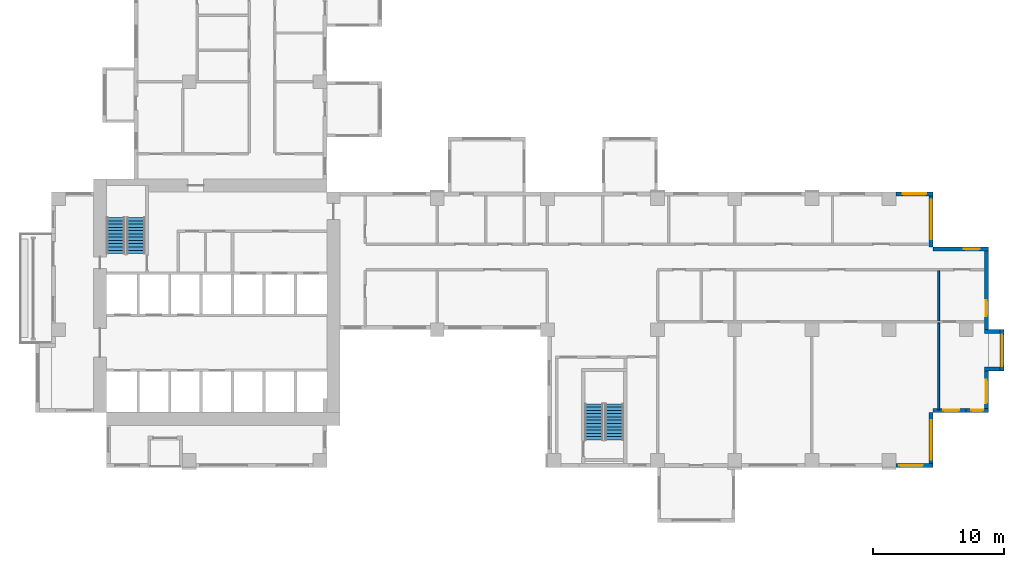
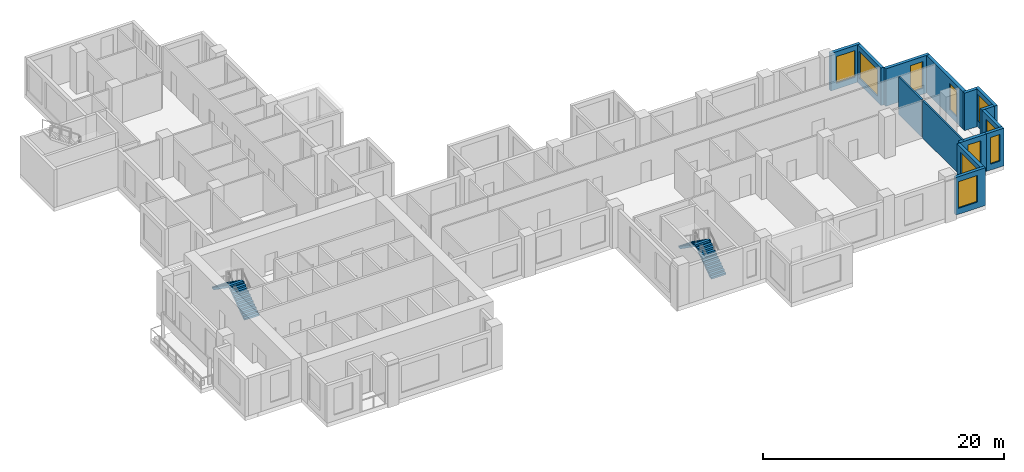
# One storey, part 8 of 14: 14 walls, 10 windows, 4 stair flights, 10 openings, 2 elements without a shape of their own.
"""IFC4 building model written with IfcOpenShell, lengths in metres."""

from ifc_helpers import new_model, si_unit, direction, frame, frame_2d, origin, place, context, subcontext, project, spatial, polyline, rectangle, outline, extrude, source, transform, mapped, material, layer, layer_set, type_object, element, fill, aggregate, save


model = new_model("IFC4")

# Units and contexts
model_context = context("Model", 3, precision=1e-05, world=origin(), true_north=direction((0.0, 1.0)))
body_context = subcontext(model_context, "Body", "Model", "MODEL_VIEW")
ifc_project = project(units=[si_unit("LENGTHUNIT", "METRE"), si_unit("AREAUNIT", "SQUARE_METRE"), si_unit("VOLUMEUNIT", "CUBIC_METRE"), si_unit("PLANEANGLEUNIT", "RADIAN"), si_unit("MASSUNIT", "GRAM", prefix="KILO")], contexts=[model_context])

# Site, building, storey
site_placement = place(None, origin())
site = spatial("IfcSite", under=ifc_project, at=site_placement, CompositionType="ELEMENT")
building_placement = place(site_placement, origin())
building = spatial("IfcBuilding", under=site, at=building_placement, Name="Aurelian Terraces", CompositionType="ELEMENT")
storey_placement = place(building_placement, frame((0.0, 0.0, 149.7)))
storey = spatial("IfcBuildingStorey", under=building, at=storey_placement, Name="L33", CompositionType="ELEMENT", Elevation=149.7)

# Wall, opening, window
ifc_material_1 = material(Name="Terracotta rainscreen cladding", Category="masonry")
ifc_layer_1 = layer(ifc_material_1, 0.3)
ifc_layer_set_1 = layer_set([ifc_layer_1], Name="EW-300")
wall_type_1 = type_object("IfcWallType", Name="EW-300", PredefinedType="STANDARD", material=ifc_layer_set_1)
shared_shape_1 = source(origin(), body_context, "Body", "SweptSolid", [
    extrude(rectangle(XDim=3.15, YDim=0.3, at=frame_2d((1.575, 0.0))), origin(), (0.0, 0.0, 1.0), 3.8),
])
wall_1_placement = place(storey_placement, frame((71.25, 4.2, 0.0), z_axis=(0.0, 0.0, 1.0), x_axis=(0.0, 1.0, 0.0)))
wall_1 = element("IfcWall", 1, at=wall_1_placement, inside=storey, type_object=wall_type_1, Name="External wall L33 F08.17", PredefinedType="STANDARD", context=body_context, shape_type="MappedRepresentation", body=[
    mapped(shared_shape_1, transform((0.0, 0.0, 0.0), scale=1.0)),
])
shared_shape_2 = source(origin(), body_context, "Body", "SweptSolid", [
    extrude(rectangle(XDim=1.8, YDim=2.7, at=frame_2d((0.9, 1.35))), frame((0.0, 0.16, 0.0), z_axis=(0.0, -1.0, 0.0), x_axis=(1.0, 0.0, 0.0)), (0.0, 0.0, 1.0), 0.32),
])
opening_1_placement = place(wall_1_placement, frame((0.675, 0.0, 0.6)))
opening_1 = element("IfcOpeningElement", 2, at=opening_1_placement, cuts=wall_1, Name="Opening W1827", PredefinedType="OPENING", context=body_context, shape_type="MappedRepresentation", body=[
    mapped(shared_shape_2, transform((0.0, 0.0, 0.0), scale=1.0)),
])
ifc_material_2 = material(Name="Clear glazing", Category="glass")
window_type_1 = type_object("IfcWindowType", Name="W-1800x2700", PartitioningType="SINGLE_PANEL", PredefinedType="WINDOW", material=ifc_material_2)
shared_shape_3 = source(origin(), body_context, "Body", "SweptSolid", [
    extrude(rectangle(XDim=1.8, YDim=2.7, at=frame_2d((0.9, 1.35))), frame((0.0, 0.03, 0.0), z_axis=(0.0, -1.0, 0.0), x_axis=(1.0, 0.0, 0.0)), (0.0, 0.0, 1.0), 0.06),
])
window_1_placement = place(opening_1_placement, origin())
window_1 = element("IfcWindow", 3, at=window_1_placement, inside=storey, type_object=window_type_1, Name="Window L33 L33-F08-17-0", OverallHeight=2.7, OverallWidth=1.8, PartitioningType="SINGLE_PANEL", PredefinedType="WINDOW", context=body_context, shape_type="MappedRepresentation", body=[
    mapped(shared_shape_3, transform((0.0, 0.0, 0.0), scale=1.0)),
])
fill(opening_1, window_1)

wall_2_placement = place(storey_placement, frame((72.45, 7.35, 0.0), z_axis=(0.0, 0.0, 1.0), x_axis=(0.0, 1.0, 0.0)))
wall_2 = element("IfcWall", 4, at=wall_2_placement, inside=storey, type_object=wall_type_1, Name="Bay wall L33 F08.18", PredefinedType="STANDARD", context=body_context, shape_type="MappedRepresentation", body=[
    mapped(shared_shape_1, transform((0.0, 0.0, 0.0), scale=1.0)),
])
shared_shape_4 = source(origin(), body_context, "Body", "SweptSolid", [
    extrude(rectangle(XDim=2.4, YDim=2.7, at=frame_2d((1.2, 1.35))), frame((0.0, 0.16, 0.0), z_axis=(0.0, -1.0, 0.0), x_axis=(1.0, 0.0, 0.0)), (0.0, 0.0, 1.0), 0.32),
])
opening_2_placement = place(wall_2_placement, frame((0.375, 0.0, 0.6)))
opening_2 = element("IfcOpeningElement", 5, at=opening_2_placement, cuts=wall_2, Name="Opening W2427", PredefinedType="OPENING", context=body_context, shape_type="MappedRepresentation", body=[
    mapped(shared_shape_4, transform((0.0, 0.0, 0.0), scale=1.0)),
])
window_type_2 = type_object("IfcWindowType", Name="W-2400x2700", PartitioningType="SINGLE_PANEL", PredefinedType="WINDOW", material=ifc_material_2)
shared_shape_5 = source(origin(), body_context, "Body", "SweptSolid", [
    extrude(rectangle(XDim=2.4, YDim=2.7, at=frame_2d((1.2, 1.35))), frame((0.0, 0.03, 0.0), z_axis=(0.0, -1.0, 0.0), x_axis=(1.0, 0.0, 0.0)), (0.0, 0.0, 1.0), 0.06),
])
window_2_placement = place(opening_2_placement, origin())
window_2 = element("IfcWindow", 6, at=window_2_placement, inside=storey, type_object=window_type_2, Name="Window L33 L33-F08-18-0", OverallHeight=2.7, OverallWidth=2.4, PartitioningType="SINGLE_PANEL", PredefinedType="WINDOW", context=body_context, shape_type="MappedRepresentation", body=[
    mapped(shared_shape_5, transform((0.0, 0.0, 0.0), scale=1.0)),
])
fill(opening_2, window_2)

shared_shape_6 = source(origin(), body_context, "Body", "SweptSolid", [
    extrude(rectangle(XDim=4.2, YDim=0.3, at=frame_2d((2.1, 0.0))), origin(), (0.0, 0.0, 1.0), 3.8),
])
wall_3_placement = place(storey_placement, frame((67.05, 0.0, 0.0), z_axis=(0.0, 0.0, 1.0), x_axis=(0.0, 1.0, 0.0)))
wall_3 = element("IfcWall", 7, at=wall_3_placement, inside=storey, type_object=wall_type_1, Name="External wall L33 F06.14", PredefinedType="STANDARD", context=body_context, shape_type="MappedRepresentation", body=[
    mapped(shared_shape_6, transform((0.0, 0.0, 0.0), scale=1.0)),
])
shared_shape_7 = source(origin(), body_context, "Body", "SweptSolid", [
    extrude(rectangle(XDim=3.0, YDim=2.7, at=frame_2d((1.5, 1.35))), frame((0.0, 0.16, 0.0), z_axis=(0.0, -1.0, 0.0), x_axis=(1.0, 0.0, 0.0)), (0.0, 0.0, 1.0), 0.32),
])
opening_3_placement = place(wall_3_placement, frame((0.6, 0.0, 0.6)))
opening_3 = element("IfcOpeningElement", 8, at=opening_3_placement, cuts=wall_3, Name="Opening W3027", PredefinedType="OPENING", context=body_context, shape_type="MappedRepresentation", body=[
    mapped(shared_shape_7, transform((0.0, 0.0, 0.0), scale=1.0)),
])
window_type_3 = type_object("IfcWindowType", Name="W-3000x2700", PartitioningType="SINGLE_PANEL", PredefinedType="WINDOW", material=ifc_material_2)
shared_shape_8 = source(origin(), body_context, "Body", "SweptSolid", [
    extrude(rectangle(XDim=3.0, YDim=2.7, at=frame_2d((1.5, 1.35))), frame((0.0, 0.03, 0.0), z_axis=(0.0, -1.0, 0.0), x_axis=(1.0, 0.0, 0.0)), (0.0, 0.0, 1.0), 0.06),
])
window_3_placement = place(opening_3_placement, origin())
window_3 = element("IfcWindow", 9, at=window_3_placement, inside=storey, type_object=window_type_3, Name="Window L33 L33-F06-14-0", OverallHeight=2.7, OverallWidth=3.0, PartitioningType="SINGLE_PANEL", PredefinedType="WINDOW", context=body_context, shape_type="MappedRepresentation", body=[
    mapped(shared_shape_8, transform((0.0, 0.0, 0.0), scale=1.0)),
])
fill(opening_3, window_3)

wall_4_placement = place(storey_placement, frame((71.4, 16.65, 0.0), z_axis=(0.0, 0.0, 1.0), x_axis=(-1.0, 0.0, 0.0)))
wall_4 = element("IfcWall", 10, at=wall_4_placement, inside=storey, type_object=wall_type_1, Name="External wall L33 F09.20", PredefinedType="STANDARD", context=body_context, shape_type="MappedRepresentation", body=[
    mapped(shared_shape_6, transform((0.0, 0.0, 0.0), scale=1.0)),
])
shared_shape_9 = source(origin(), body_context, "Body", "SweptSolid", [
    extrude(rectangle(XDim=1.2, YDim=2.7, at=frame_2d((0.6, 1.35))), frame((0.0, 0.16, 0.0), z_axis=(0.0, -1.0, 0.0), x_axis=(1.0, 0.0, 0.0)), (0.0, 0.0, 1.0), 0.32),
])
opening_4_placement = place(wall_4_placement, frame((0.66, 0.0, 0.6)))
opening_4 = element("IfcOpeningElement", 11, at=opening_4_placement, cuts=wall_4, Name="Opening W1227", PredefinedType="OPENING", context=body_context, shape_type="MappedRepresentation", body=[
    mapped(shared_shape_9, transform((0.0, 0.0, 0.0), scale=1.0)),
])
window_type_4 = type_object("IfcWindowType", Name="W-1200x2700", PartitioningType="SINGLE_PANEL", PredefinedType="WINDOW", material=ifc_material_2)
shared_shape_10 = source(origin(), body_context, "Body", "SweptSolid", [
    extrude(rectangle(XDim=1.2, YDim=2.7, at=frame_2d((0.6, 1.35))), frame((0.0, 0.03, 0.0), z_axis=(0.0, -1.0, 0.0), x_axis=(1.0, 0.0, 0.0)), (0.0, 0.0, 1.0), 0.06),
])
window_4_placement = place(opening_4_placement, origin())
window_4 = element("IfcWindow", 12, at=window_4_placement, inside=storey, type_object=window_type_4, Name="Window L33 L33-F09-20-0", OverallHeight=2.7, OverallWidth=1.2, PartitioningType="SINGLE_PANEL", PredefinedType="WINDOW", context=body_context, shape_type="MappedRepresentation", body=[
    mapped(shared_shape_10, transform((0.0, 0.0, 0.0), scale=1.0)),
])
fill(opening_4, window_4)

wall_5_placement = place(storey_placement, frame((67.05, 16.8, 0.0), z_axis=(0.0, 0.0, 1.0), x_axis=(0.0, 1.0, 0.0)))
wall_5 = element("IfcWall", 13, at=wall_5_placement, inside=storey, type_object=wall_type_1, Name="External wall L33 F10.21", PredefinedType="STANDARD", context=body_context, shape_type="MappedRepresentation", body=[
    mapped(shared_shape_6, transform((0.0, 0.0, 0.0), scale=1.0)),
])
opening_5_placement = place(wall_5_placement, frame((0.6, 0.0, 0.6)))
opening_5 = element("IfcOpeningElement", 14, at=opening_5_placement, cuts=wall_5, Name="Opening W3027", PredefinedType="OPENING", context=body_context, shape_type="MappedRepresentation", body=[
    mapped(shared_shape_7, transform((0.0, 0.0, 0.0), scale=1.0)),
])
window_5_placement = place(opening_5_placement, origin())
window_5 = element("IfcWindow", 15, at=window_5_placement, inside=storey, type_object=window_type_3, Name="Window L33 L33-F10-21-0", OverallHeight=2.7, OverallWidth=3.0, PartitioningType="SINGLE_PANEL", PredefinedType="WINDOW", context=body_context, shape_type="MappedRepresentation", body=[
    mapped(shared_shape_8, transform((0.0, 0.0, 0.0), scale=1.0)),
])
fill(opening_5, window_5)

# Walls
shared_shape_11 = source(origin(), body_context, "Body", "SweptSolid", [
    extrude(rectangle(XDim=1.2, YDim=0.3, at=frame_2d((0.6, 0.0))), origin(), (0.0, 0.0, 1.0), 3.8),
])
for number, where, z_axis, x_axis, name in (
    (16, (71.1, 7.5, 0.0), (0.0, 0.0, 1.0), (1.0, 0.0, 0.0), "Bay return L33 F08.18.1"),
    (17, (71.1, 10.35, 0.0), (0.0, 0.0, 1.0), (1.0, 0.0, 0.0), "Bay return L33 F08.18.2"),
):
    element("IfcWall", number, at=place(storey_placement, frame(where, z_axis=z_axis, x_axis=x_axis)), inside=storey, type_object=wall_type_1, Name=name, PredefinedType="STANDARD", context=body_context, shape_type="MappedRepresentation", body=[
        mapped(shared_shape_11, transform((0.0, 0.0, 0.0), scale=1.0)),
    ])

# Wall, opening, window
shared_shape_12 = source(origin(), body_context, "Body", "SweptSolid", [
    extrude(rectangle(XDim=2.52, YDim=0.3, at=frame_2d((1.26, 0.0))), origin(), (0.0, 0.0, 1.0), 3.8),
])
wall_6_placement = place(storey_placement, frame((67.2, 4.35, 0.0), z_axis=(0.0, 0.0, 1.0), x_axis=(1.0, 0.0, 0.0)))
wall_6 = element("IfcWall", 18, at=wall_6_placement, inside=storey, type_object=wall_type_1, Name="External wall L33 F07.15", PredefinedType="STANDARD", context=body_context, shape_type="MappedRepresentation", body=[
    mapped(shared_shape_12, transform((0.0, 0.0, 0.0), scale=1.0)),
])
opening_6_placement = place(wall_6_placement, frame((0.7775, 0.0, 0.6)))
opening_6 = element("IfcOpeningElement", 19, at=opening_6_placement, cuts=wall_6, Name="Opening W1227", PredefinedType="OPENING", context=body_context, shape_type="MappedRepresentation", body=[
    mapped(shared_shape_9, transform((0.0, 0.0, 0.0), scale=1.0)),
])
window_6_placement = place(opening_6_placement, origin())
window_6 = element("IfcWindow", 20, at=window_6_placement, inside=storey, type_object=window_type_4, Name="Window L33 L33-F07-15-P0", OverallHeight=2.7, OverallWidth=1.2, PartitioningType="SINGLE_PANEL", PredefinedType="WINDOW", context=body_context, shape_type="MappedRepresentation", body=[
    mapped(shared_shape_10, transform((0.0, 0.0, 0.0), scale=1.0)),
])
fill(opening_6, window_6)

shared_shape_13 = source(origin(), body_context, "Body", "SweptSolid", [
    extrude(rectangle(XDim=1.68, YDim=0.3, at=frame_2d((0.84, 0.0))), origin(), (0.0, 0.0, 1.0), 3.8),
])
wall_7_placement = place(storey_placement, frame((69.72, 4.35, 0.0), z_axis=(0.0, 0.0, 1.0), x_axis=(1.0, 0.0, 0.0)))
wall_7 = element("IfcWall", 21, at=wall_7_placement, inside=storey, type_object=wall_type_1, Name="External wall L33 F07.16", PredefinedType="STANDARD", context=body_context, shape_type="MappedRepresentation", body=[
    mapped(shared_shape_13, transform((0.0, 0.0, 0.0), scale=1.0)),
])
shared_shape_14 = source(origin(), body_context, "Body", "SweptSolid", [
    extrude(rectangle(XDim=0.9, YDim=2.7, at=frame_2d((0.45, 1.35))), frame((0.0, 0.16, 0.0), z_axis=(0.0, -1.0, 0.0), x_axis=(1.0, 0.0, 0.0)), (0.0, 0.0, 1.0), 0.32),
])
opening_7_placement = place(wall_7_placement, frame((0.39, 0.0, 0.6)))
opening_7 = element("IfcOpeningElement", 22, at=opening_7_placement, cuts=wall_7, Name="Opening W0927", PredefinedType="OPENING", context=body_context, shape_type="MappedRepresentation", body=[
    mapped(shared_shape_14, transform((0.0, 0.0, 0.0), scale=1.0)),
])
window_type_5 = type_object("IfcWindowType", Name="W-900x2700", PartitioningType="SINGLE_PANEL", PredefinedType="WINDOW", material=ifc_material_2)
shared_shape_15 = source(origin(), body_context, "Body", "SweptSolid", [
    extrude(rectangle(XDim=0.9, YDim=2.7, at=frame_2d((0.45, 1.35))), frame((0.0, 0.03, 0.0), z_axis=(0.0, -1.0, 0.0), x_axis=(1.0, 0.0, 0.0)), (0.0, 0.0, 1.0), 0.06),
])
window_7_placement = place(opening_7_placement, origin())
window_7 = element("IfcWindow", 23, at=window_7_placement, inside=storey, type_object=window_type_5, Name="Window L33 L33-F07-16-P0", OverallHeight=2.7, OverallWidth=0.9, PartitioningType="SINGLE_PANEL", PredefinedType="WINDOW", context=body_context, shape_type="MappedRepresentation", body=[
    mapped(shared_shape_15, transform((0.0, 0.0, 0.0), scale=1.0)),
])
fill(opening_7, window_7)

shared_shape_16 = source(origin(), body_context, "Body", "SweptSolid", [
    extrude(rectangle(XDim=6.3, YDim=0.3, at=frame_2d((3.15, 0.0))), origin(), (0.0, 0.0, 1.0), 3.8),
])
wall_8_placement = place(storey_placement, frame((71.25, 10.5, 0.0), z_axis=(0.0, 0.0, 1.0), x_axis=(0.0, 1.0, 0.0)))
wall_8 = element("IfcWall", 24, at=wall_8_placement, inside=storey, type_object=wall_type_1, Name="External wall L33 F08.19", PredefinedType="STANDARD", context=body_context, shape_type="MappedRepresentation", body=[
    mapped(shared_shape_16, transform((0.0, 0.0, 0.0), scale=1.0)),
])
opening_8_placement = place(wall_8_placement, frame((1.025, 0.0, 0.6)))
opening_8 = element("IfcOpeningElement", 25, at=opening_8_placement, cuts=wall_8, Name="Opening W1227", PredefinedType="OPENING", context=body_context, shape_type="MappedRepresentation", body=[
    mapped(shared_shape_9, transform((0.0, 0.0, 0.0), scale=1.0)),
])
window_8_placement = place(opening_8_placement, origin())
window_8 = element("IfcWindow", 26, at=window_8_placement, inside=storey, type_object=window_type_4, Name="Window L33 L33-F08-19-0", OverallHeight=2.7, OverallWidth=1.2, PartitioningType="SINGLE_PANEL", PredefinedType="WINDOW", context=body_context, shape_type="MappedRepresentation", body=[
    mapped(shared_shape_10, transform((0.0, 0.0, 0.0), scale=1.0)),
])
fill(opening_8, window_8)

shared_shape_17 = source(origin(), body_context, "Body", "SweptSolid", [
    extrude(rectangle(XDim=2.835, YDim=0.3, at=frame_2d((1.4175, 0.0))), origin(), (0.0, 0.0, 1.0), 3.8),
])
wall_9_placement = place(storey_placement, frame((64.365, 0.15, 0.0), z_axis=(0.0, 0.0, 1.0), x_axis=(1.0, 0.0, 0.0)))
wall_9 = element("IfcWall", 27, at=wall_9_placement, inside=storey, type_object=wall_type_1, Name="External wall L33 F05.13", PredefinedType="STANDARD", context=body_context, shape_type="MappedRepresentation", body=[
    mapped(shared_shape_17, transform((0.0, 0.0, 0.0), scale=1.0)),
])
opening_9_placement = place(wall_9_placement, frame((0.255, 0.0, 0.6)))
opening_9 = element("IfcOpeningElement", 28, at=opening_9_placement, cuts=wall_9, Name="Opening W1827", PredefinedType="OPENING", context=body_context, shape_type="MappedRepresentation", body=[
    mapped(shared_shape_2, transform((0.0, 0.0, 0.0), scale=1.0)),
])
window_9_placement = place(opening_9_placement, origin())
window_9 = element("IfcWindow", 29, at=window_9_placement, inside=storey, type_object=window_type_1, Name="Window L33 L33-F05-13-0", OverallHeight=2.7, OverallWidth=1.8, PartitioningType="SINGLE_PANEL", PredefinedType="WINDOW", context=body_context, shape_type="MappedRepresentation", body=[
    mapped(shared_shape_3, transform((0.0, 0.0, 0.0), scale=1.0)),
])
fill(opening_9, window_9)

wall_10_placement = place(storey_placement, frame((67.2, 20.85, 0.0), z_axis=(0.0, 0.0, 1.0), x_axis=(-1.0, 0.0, 0.0)))
wall_10 = element("IfcWall", 30, at=wall_10_placement, inside=storey, type_object=wall_type_1, Name="External wall L33 F11.22", PredefinedType="STANDARD", context=body_context, shape_type="MappedRepresentation", body=[
    mapped(shared_shape_17, transform((0.0, 0.0, 0.0), scale=1.0)),
])
opening_10_placement = place(wall_10_placement, frame((0.5175, 0.0, 0.6)))
opening_10 = element("IfcOpeningElement", 31, at=opening_10_placement, cuts=wall_10, Name="Opening W1827", PredefinedType="OPENING", context=body_context, shape_type="MappedRepresentation", body=[
    mapped(shared_shape_2, transform((0.0, 0.0, 0.0), scale=1.0)),
])
window_10_placement = place(opening_10_placement, origin())
window_10 = element("IfcWindow", 32, at=window_10_placement, inside=storey, type_object=window_type_1, Name="Window L33 L33-F11-22-P0", OverallHeight=2.7, OverallWidth=1.8, PartitioningType="SINGLE_PANEL", PredefinedType="WINDOW", context=body_context, shape_type="MappedRepresentation", body=[
    mapped(shared_shape_3, transform((0.0, 0.0, 0.0), scale=1.0)),
])
fill(opening_10, window_10)

# Walls
ifc_material_3 = material(Name="Gypsum board on steel studs", Category="steel")
ifc_layer_2 = layer(ifc_material_3, 0.15)
ifc_layer_set_2 = layer_set([ifc_layer_2], Name="Partition 150")
wall_type_2 = type_object("IfcWallType", Name="Partition 150", PredefinedType="PARTITIONING", material=ifc_layer_set_2)
shared_shape_18 = source(origin(), body_context, "Body", "SweptSolid", [
    extrude(rectangle(XDim=3.825, YDim=0.15, at=frame_2d((1.9125, 0.0))), origin(), (0.0, 0.0, 1.0), 3.8),
])
wall_11_placement = place(storey_placement, frame((67.62, 11.175, 0.0), z_axis=(0.0, 0.0, 1.0), x_axis=(0.0, 1.0, 0.0)))
element("IfcWall", 33, at=wall_11_placement, inside=storey, type_object=wall_type_2, Name="Partition", PredefinedType="PARTITIONING", context=body_context, shape_type="MappedRepresentation", body=[
    mapped(shared_shape_18, transform((0.0, 0.0, 0.0), scale=1.0)),
])
shared_shape_19 = source(origin(), body_context, "Body", "SweptSolid", [
    extrude(rectangle(XDim=6.62, YDim=0.15, at=frame_2d((3.31, 0.0))), origin(), (0.0, 0.0, 1.0), 3.8),
])
wall_12_placement = place(storey_placement, frame((67.62, 4.405, 0.0), z_axis=(0.0, 0.0, 1.0), x_axis=(0.0, 1.0, 0.0)))
element("IfcWall", 34, at=wall_12_placement, inside=storey, type_object=wall_type_2, Name="Partition", PredefinedType="PARTITIONING", context=body_context, shape_type="MappedRepresentation", body=[
    mapped(shared_shape_19, transform((0.0, 0.0, 0.0), scale=1.0)),
])

# Stair, stair flights
ifc_material_4 = material(Name="Concrete fc' 40 MPa", Category="concrete")
stair_type = type_object("IfcStairType", Name="Stair 1400", PredefinedType="HALF_TURN_STAIR", material=ifc_material_4)
stair_1_placement = place(storey_placement, origin())
stair_1 = element("IfcStair", 35, at=stair_1_placement, inside=storey, type_object=stair_type, Name="L33 S1", PredefinedType="HALF_TURN_STAIR")
stair_flight_type = type_object("IfcStairFlightType", Name="Stair flight 1400", PredefinedType="STRAIGHT", material=ifc_material_4)
shared_shape_20 = source(origin(), body_context, "Body", "SweptSolid", [
    extrude(outline(polyline([(0.0, 0.0), (0.0, 0.175), (0.25, 0.175), (0.25, 0.35), (0.5, 0.35), (0.5, 0.525), (0.75, 0.525), (0.75, 0.7), (1.0, 0.7), (1.0, 0.875), (1.25, 0.875), (1.25, 1.05), (1.5, 1.05), (1.5, 1.225), (1.75, 1.225), (1.75, 1.4), (2.0, 1.4), (2.0, 1.575), (2.25, 1.575), (2.25, 1.75), (2.5, 1.75), (2.5, 1.925), (2.75, 1.925), (2.75, 2.1), (2.75, 1.7419), (0.2616, 0.0), (0.0, 0.0)])), frame((0.0, 0.7, 0.0), z_axis=(0.0, -1.0, 0.0), x_axis=(1.0, 0.0, 0.0)), (0.0, 0.0, 1.0), 1.4),
])
stair_flight_1_placement = place(storey_placement, frame((6.45, 16.3, 2e-08), z_axis=(0.0, 0.0, 1.0), x_axis=(0.0, 1.0, 0.0)))
stair_flight_1 = element("IfcStairFlight", 36, at=stair_flight_1_placement, type_object=stair_flight_type, Name="S1 flight 1", NumberOfRisers=12, NumberOfTreads=11, PredefinedType="STRAIGHT", RiserHeight=0.175, TreadLength=0.25, context=body_context, shape_type="MappedRepresentation", body=[
    mapped(shared_shape_20, transform((0.0, 0.0, 0.0), scale=1.0)),
])
stair_flight_2_placement = place(storey_placement, frame((4.9, 19.05, 2.1000000200000226), z_axis=(0.0, 0.0, 1.0), x_axis=(0.0, -1.0, 0.0)))
stair_flight_2 = element("IfcStairFlight", 37, at=stair_flight_2_placement, type_object=stair_flight_type, Name="S1 flight 2", NumberOfRisers=12, NumberOfTreads=11, PredefinedType="STRAIGHT", RiserHeight=0.175, TreadLength=0.25, context=body_context, shape_type="MappedRepresentation", body=[
    mapped(shared_shape_20, transform((0.0, 0.0, 0.0), scale=1.0)),
])
aggregate(stair_1, [stair_flight_1, stair_flight_2])

stair_2_placement = place(storey_placement, origin())
stair_2 = element("IfcStair", 38, at=stair_2_placement, inside=storey, type_object=stair_type, Name="L33 S2", PredefinedType="HALF_TURN_STAIR")
stair_flight_3_placement = place(storey_placement, frame((42.9, 2.1, 2e-08), z_axis=(0.0, 0.0, 1.0), x_axis=(0.0, 1.0, 0.0)))
stair_flight_3 = element("IfcStairFlight", 39, at=stair_flight_3_placement, type_object=stair_flight_type, Name="S2 flight 1", NumberOfRisers=12, NumberOfTreads=11, PredefinedType="STRAIGHT", RiserHeight=0.175, TreadLength=0.25, context=body_context, shape_type="MappedRepresentation", body=[
    mapped(shared_shape_20, transform((0.0, 0.0, 0.0), scale=1.0)),
])
stair_flight_4_placement = place(storey_placement, frame((41.35, 4.85, 2.1000000200000226), z_axis=(0.0, 0.0, 1.0), x_axis=(0.0, -1.0, 0.0)))
stair_flight_4 = element("IfcStairFlight", 40, at=stair_flight_4_placement, type_object=stair_flight_type, Name="S2 flight 2", NumberOfRisers=12, NumberOfTreads=11, PredefinedType="STRAIGHT", RiserHeight=0.175, TreadLength=0.25, context=body_context, shape_type="MappedRepresentation", body=[
    mapped(shared_shape_20, transform((0.0, 0.0, 0.0), scale=1.0)),
])
aggregate(stair_2, [stair_flight_3, stair_flight_4])

save(model, "model.ifc")
